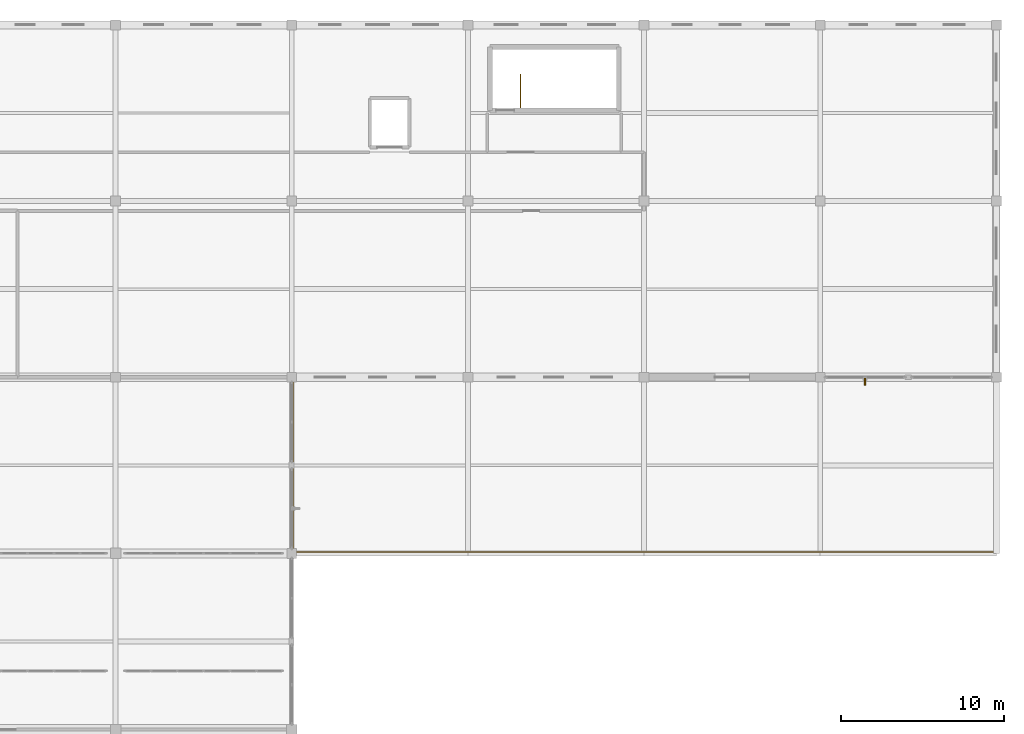
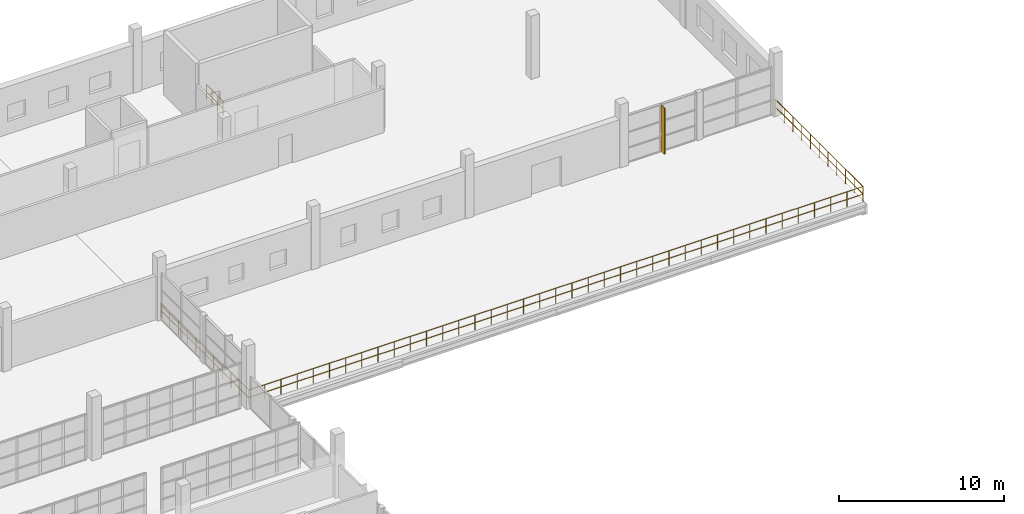
# One storey, part 142 of 142: 2 railings, 1 shading device.
"""IFC4 building model written with IfcOpenShell, lengths in metres."""

from ifc_helpers import new_model, si_unit, direction, frame, origin, origin_2d, place, context, subcontext, project, spatial, rectangle, circle, extrude, material, type_object, element, save


model = new_model("IFC4")

# Units and contexts
model_context = context("Model", 3, precision=1e-05, world=origin(), true_north=direction((0.0, 1.0)))
body_context = subcontext(model_context, "Body", "Model", "MODEL_VIEW")
ifc_project = project(units=[si_unit("LENGTHUNIT", "METRE"), si_unit("AREAUNIT", "SQUARE_METRE"), si_unit("VOLUMEUNIT", "CUBIC_METRE"), si_unit("PLANEANGLEUNIT", "RADIAN"), si_unit("MASSUNIT", "GRAM", prefix="KILO")], contexts=[model_context])

# Site, building, storey
site_placement = place(None, origin())
site = spatial("IfcSite", under=ifc_project, at=site_placement, CompositionType="ELEMENT")
building_placement = place(site_placement, origin())
building = spatial("IfcBuilding", under=site, at=building_placement, Name="Zwinboog Wholesale Market", CompositionType="ELEMENT")
storey_placement = place(building_placement, frame((0.0, 0.0, 5.39990234375)))
storey = spatial("IfcBuildingStorey", under=building, at=storey_placement, Name="L01", CompositionType="ELEMENT", Elevation=5.39990234375)

# Shading device
ifc_material_1 = material(Name="Western red cedar timber", Category="wood")
shading_device_type = type_object("IfcShadingDeviceType", Name="SHD-FIN-CEDAR", PredefinedType="USERDEFINED", material=ifc_material_1)
shading_device_placement = place(storey_placement, frame((207.947509765625, 107.72998046875, 0.080078125), z_axis=(0.0, 0.0, 1.0), x_axis=(0.0, 1.0, 0.0)))
element("IfcShadingDevice", 1, at=shading_device_placement, inside=storey, type_object=shading_device_type, Name="FN-01 (SHD-FIN-044)", ObjectType="FIN", PredefinedType="USERDEFINED", context=body_context, shape_type="SweptSolid", body=[
    extrude(rectangle(XDim=0.419921875, YDim=0.0849609375, at=origin_2d()), origin(), (0.0, 0.0, 1.0), 3.3798828125),
])

# Railings
ifc_material_2 = material(Name="Steel S355", Category="steel")
railing_type_1 = type_object("IfcRailingType", Name="RLT-EXT-GUARD", PredefinedType="BALUSTRADE", material=ifc_material_2)
railing_1_placement = place(storey_placement, frame((172.8798828125, 107.919921875, 0.0)))
element("IfcRailing", 2, at=railing_1_placement, inside=storey, type_object=railing_type_1, Name="GR-01 (RLG-EXT-09)", PredefinedType="BALUSTRADE", context=body_context, shape_type="SweptSolid", body=[
    extrude(circle(Radius=0.02392578125, at=origin_2d()), frame((0.0, 0.0, 1.09619140625), z_axis=(0.0, -1.0, 0.0), x_axis=(1.0, 0.0, 0.0)), (0.0, 0.0, 1.0), 10.639892578125),
    extrude(circle(Radius=0.02392578125, at=origin_2d()), frame((0.0, 0.0, 0.5361328125), z_axis=(0.0, -1.0, 0.0), x_axis=(1.0, 0.0, 0.0)), (0.0, 0.0, 1.0), 10.639892578125),
    extrude(circle(Radius=0.02392578125, at=origin_2d()), frame((0.0, -10.639892578125, 1.09619140625), z_axis=(1.0, 0.0, 0.0), x_axis=(0.0, 1.0, 0.0)), (0.0, 0.0, 1.0), 43.0400390625),
    extrude(circle(Radius=0.02392578125, at=origin_2d()), frame((0.0, -10.639892578125, 0.5361328125), z_axis=(1.0, 0.0, 0.0), x_axis=(0.0, 1.0, 0.0)), (0.0, 0.0, 1.0), 43.0400390625),
    extrude(circle(Radius=0.02392578125, at=origin_2d()), frame((43.0400390625, -10.639892578125, 1.09619140625), z_axis=(0.0, 1.0, 0.0), x_axis=(-1.0, 0.0, 0.0)), (0.0, 0.0, 1.0), 10.639892578125),
    extrude(circle(Radius=0.02392578125, at=origin_2d()), frame((43.0400390625, -10.639892578125, 0.5361328125), z_axis=(0.0, 1.0, 0.0), x_axis=(-1.0, 0.0, 0.0)), (0.0, 0.0, 1.0), 10.639892578125),
    extrude(circle(Radius=0.02099609375, at=origin_2d()), origin(), (0.0, 0.0, 1.0), 1.072021484375),
    extrude(circle(Radius=0.02099609375, at=origin_2d()), frame((0.0, -1.06396484375, 0.0)), (0.0, 0.0, 1.0), 1.072021484375),
    extrude(circle(Radius=0.02099609375, at=origin_2d()), frame((0.0, -2.1279296875, 0.0)), (0.0, 0.0, 1.0), 1.072021484375),
    extrude(circle(Radius=0.02099609375, at=origin_2d()), frame((0.0, -3.19189453125, 0.0)), (0.0, 0.0, 1.0), 1.072021484375),
    extrude(circle(Radius=0.02099609375, at=origin_2d()), frame((0.0, -4.255859375, 0.0)), (0.0, 0.0, 1.0), 1.072021484375),
    extrude(circle(Radius=0.02099609375, at=origin_2d()), frame((0.0, -5.31982421875, 0.0)), (0.0, 0.0, 1.0), 1.072021484375),
    extrude(circle(Radius=0.02099609375, at=origin_2d()), frame((0.0, -6.384033203125, 0.0)), (0.0, 0.0, 1.0), 1.072021484375),
    extrude(circle(Radius=0.02099609375, at=origin_2d()), frame((0.0, -7.447998046875, 0.0)), (0.0, 0.0, 1.0), 1.072021484375),
    extrude(circle(Radius=0.02099609375, at=origin_2d()), frame((0.0, -8.511962890625, 0.0)), (0.0, 0.0, 1.0), 1.072021484375),
    extrude(circle(Radius=0.02099609375, at=origin_2d()), frame((0.0, -9.575927734375, 0.0)), (0.0, 0.0, 1.0), 1.072021484375),
    extrude(circle(Radius=0.02099609375, at=origin_2d()), frame((0.0, -10.639892578125, 0.0)), (0.0, 0.0, 1.0), 1.072021484375),
    extrude(circle(Radius=0.02099609375, at=origin_2d()), frame((1.132568359375, -10.639892578125, 0.0)), (0.0, 0.0, 1.0), 1.072021484375),
    extrude(circle(Radius=0.02099609375, at=origin_2d()), frame((2.265380859375, -10.639892578125, 0.0)), (0.0, 0.0, 1.0), 1.072021484375),
    extrude(circle(Radius=0.02099609375, at=origin_2d()), frame((3.39794921875, -10.639892578125, 0.0)), (0.0, 0.0, 1.0), 1.072021484375),
    extrude(circle(Radius=0.02099609375, at=origin_2d()), frame((4.530517578125, -10.639892578125, 0.0)), (0.0, 0.0, 1.0), 1.072021484375),
    extrude(circle(Radius=0.02099609375, at=origin_2d()), frame((5.6630859375, -10.639892578125, 0.0)), (0.0, 0.0, 1.0), 1.072021484375),
    extrude(circle(Radius=0.02099609375, at=origin_2d()), frame((6.7958984375, -10.639892578125, 0.0)), (0.0, 0.0, 1.0), 1.072021484375),
    extrude(circle(Radius=0.02099609375, at=origin_2d()), frame((7.928466796875, -10.639892578125, 0.0)), (0.0, 0.0, 1.0), 1.072021484375),
    extrude(circle(Radius=0.02099609375, at=origin_2d()), frame((9.06103515625, -10.639892578125, 0.0)), (0.0, 0.0, 1.0), 1.072021484375),
    extrude(circle(Radius=0.02099609375, at=origin_2d()), frame((10.193603515625, -10.639892578125, 0.0)), (0.0, 0.0, 1.0), 1.072021484375),
    extrude(circle(Radius=0.02099609375, at=origin_2d()), frame((11.326416015625, -10.639892578125, 0.0)), (0.0, 0.0, 1.0), 1.072021484375),
    extrude(circle(Radius=0.02099609375, at=origin_2d()), frame((12.458984375, -10.639892578125, 0.0)), (0.0, 0.0, 1.0), 1.072021484375),
    extrude(circle(Radius=0.02099609375, at=origin_2d()), frame((13.591552734375, -10.639892578125, 0.0)), (0.0, 0.0, 1.0), 1.072021484375),
    extrude(circle(Radius=0.02099609375, at=origin_2d()), frame((14.72412109375, -10.639892578125, 0.0)), (0.0, 0.0, 1.0), 1.072021484375),
    extrude(circle(Radius=0.02099609375, at=origin_2d()), frame((15.85693359375, -10.639892578125, 0.0)), (0.0, 0.0, 1.0), 1.072021484375),
    extrude(circle(Radius=0.02099609375, at=origin_2d()), frame((16.989501953125, -10.639892578125, 0.0)), (0.0, 0.0, 1.0), 1.072021484375),
    extrude(circle(Radius=0.02099609375, at=origin_2d()), frame((18.1220703125, -10.639892578125, 0.0)), (0.0, 0.0, 1.0), 1.072021484375),
    extrude(circle(Radius=0.02099609375, at=origin_2d()), frame((19.254638671875, -10.639892578125, 0.0)), (0.0, 0.0, 1.0), 1.072021484375),
    extrude(circle(Radius=0.02099609375, at=origin_2d()), frame((20.387451171875, -10.639892578125, 0.0)), (0.0, 0.0, 1.0), 1.072021484375),
    extrude(circle(Radius=0.02099609375, at=origin_2d()), frame((21.52001953125, -10.639892578125, 0.0)), (0.0, 0.0, 1.0), 1.072021484375),
    extrude(circle(Radius=0.02099609375, at=origin_2d()), frame((22.652587890625, -10.639892578125, 0.0)), (0.0, 0.0, 1.0), 1.072021484375),
    extrude(circle(Radius=0.02099609375, at=origin_2d()), frame((23.785400390625, -10.639892578125, 0.0)), (0.0, 0.0, 1.0), 1.072021484375),
    extrude(circle(Radius=0.02099609375, at=origin_2d()), frame((24.91796875, -10.639892578125, 0.0)), (0.0, 0.0, 1.0), 1.072021484375),
    extrude(circle(Radius=0.02099609375, at=origin_2d()), frame((26.050537109375, -10.639892578125, 0.0)), (0.0, 0.0, 1.0), 1.072021484375),
    extrude(circle(Radius=0.02099609375, at=origin_2d()), frame((27.18310546875, -10.639892578125, 0.0)), (0.0, 0.0, 1.0), 1.072021484375),
    extrude(circle(Radius=0.02099609375, at=origin_2d()), frame((28.31591796875, -10.639892578125, 0.0)), (0.0, 0.0, 1.0), 1.072021484375),
    extrude(circle(Radius=0.02099609375, at=origin_2d()), frame((29.448486328125, -10.639892578125, 0.0)), (0.0, 0.0, 1.0), 1.072021484375),
    extrude(circle(Radius=0.02099609375, at=origin_2d()), frame((30.5810546875, -10.639892578125, 0.0)), (0.0, 0.0, 1.0), 1.072021484375),
    extrude(circle(Radius=0.02099609375, at=origin_2d()), frame((31.713623046875, -10.639892578125, 0.0)), (0.0, 0.0, 1.0), 1.072021484375),
    extrude(circle(Radius=0.02099609375, at=origin_2d()), frame((32.846435546875, -10.639892578125, 0.0)), (0.0, 0.0, 1.0), 1.072021484375),
    extrude(circle(Radius=0.02099609375, at=origin_2d()), frame((33.97900390625, -10.639892578125, 0.0)), (0.0, 0.0, 1.0), 1.072021484375),
    extrude(circle(Radius=0.02099609375, at=origin_2d()), frame((35.111572265625, -10.639892578125, 0.0)), (0.0, 0.0, 1.0), 1.072021484375),
    extrude(circle(Radius=0.02099609375, at=origin_2d()), frame((36.244140625, -10.639892578125, 0.0)), (0.0, 0.0, 1.0), 1.072021484375),
    extrude(circle(Radius=0.02099609375, at=origin_2d()), frame((37.376953125, -10.639892578125, 0.0)), (0.0, 0.0, 1.0), 1.072021484375),
    extrude(circle(Radius=0.02099609375, at=origin_2d()), frame((38.509521484375, -10.639892578125, 0.0)), (0.0, 0.0, 1.0), 1.072021484375),
    extrude(circle(Radius=0.02099609375, at=origin_2d()), frame((39.64208984375, -10.639892578125, 0.0)), (0.0, 0.0, 1.0), 1.072021484375),
    extrude(circle(Radius=0.02099609375, at=origin_2d()), frame((40.774658203125, -10.639892578125, 0.0)), (0.0, 0.0, 1.0), 1.072021484375),
    extrude(circle(Radius=0.02099609375, at=origin_2d()), frame((41.907470703125, -10.639892578125, 0.0)), (0.0, 0.0, 1.0), 1.072021484375),
    extrude(circle(Radius=0.02099609375, at=origin_2d()), frame((43.0400390625, -10.639892578125, 0.0)), (0.0, 0.0, 1.0), 1.072021484375),
    extrude(circle(Radius=0.02099609375, at=origin_2d()), frame((43.0400390625, -9.575927734375, 0.0)), (0.0, 0.0, 1.0), 1.072021484375),
    extrude(circle(Radius=0.02099609375, at=origin_2d()), frame((43.0400390625, -8.511962890625, 0.0)), (0.0, 0.0, 1.0), 1.072021484375),
    extrude(circle(Radius=0.02099609375, at=origin_2d()), frame((43.0400390625, -7.447998046875, 0.0)), (0.0, 0.0, 1.0), 1.072021484375),
    extrude(circle(Radius=0.02099609375, at=origin_2d()), frame((43.0400390625, -6.384033203125, 0.0)), (0.0, 0.0, 1.0), 1.072021484375),
    extrude(circle(Radius=0.02099609375, at=origin_2d()), frame((43.0400390625, -5.31982421875, 0.0)), (0.0, 0.0, 1.0), 1.072021484375),
    extrude(circle(Radius=0.02099609375, at=origin_2d()), frame((43.0400390625, -4.255859375, 0.0)), (0.0, 0.0, 1.0), 1.072021484375),
    extrude(circle(Radius=0.02099609375, at=origin_2d()), frame((43.0400390625, -3.19189453125, 0.0)), (0.0, 0.0, 1.0), 1.072021484375),
    extrude(circle(Radius=0.02099609375, at=origin_2d()), frame((43.0400390625, -2.1279296875, 0.0)), (0.0, 0.0, 1.0), 1.072021484375),
    extrude(circle(Radius=0.02099609375, at=origin_2d()), frame((43.0400390625, -1.06396484375, 0.0)), (0.0, 0.0, 1.0), 1.072021484375),
    extrude(circle(Radius=0.02099609375, at=origin_2d()), frame((43.0400390625, 0.0, 0.0)), (0.0, 0.0, 1.0), 1.072021484375),
])
railing_type_2 = type_object("IfcRailingType", Name="RLT-INT-GUARD", PredefinedType="BALUSTRADE", material=ifc_material_2)
railing_2_placement = place(storey_placement, frame((186.820068359375, 126.5400390625, 0.0)))
element("IfcRailing", 3, at=railing_2_placement, inside=storey, type_object=railing_type_2, Name="GR-02 (RLG-ST-05-GTOP)", PredefinedType="BALUSTRADE", context=body_context, shape_type="SweptSolid", body=[
    extrude(circle(Radius=0.02392578125, at=origin_2d()), frame((0.0, 0.0, 1.09619140625), z_axis=(0.0, -1.0, 0.0), x_axis=(1.0, 0.0, 0.0)), (0.0, 0.0, 1.0), 2.0),
    extrude(circle(Radius=0.02392578125, at=origin_2d()), frame((0.0, 0.0, 0.5361328125), z_axis=(0.0, -1.0, 0.0), x_axis=(1.0, 0.0, 0.0)), (0.0, 0.0, 1.0), 2.0),
    extrude(circle(Radius=0.02099609375, at=origin_2d()), origin(), (0.0, 0.0, 1.0), 1.072021484375),
    extrude(circle(Radius=0.02099609375, at=origin_2d()), frame((0.0, -0.666748046875, 0.0)), (0.0, 0.0, 1.0), 1.072021484375),
    extrude(circle(Radius=0.02099609375, at=origin_2d()), frame((0.0, -1.333251953125, 0.0)), (0.0, 0.0, 1.0), 1.072021484375),
    extrude(circle(Radius=0.02099609375, at=origin_2d()), frame((0.0, -2.0, 0.0)), (0.0, 0.0, 1.0), 1.072021484375),
])

save(model, "model.ifc")
